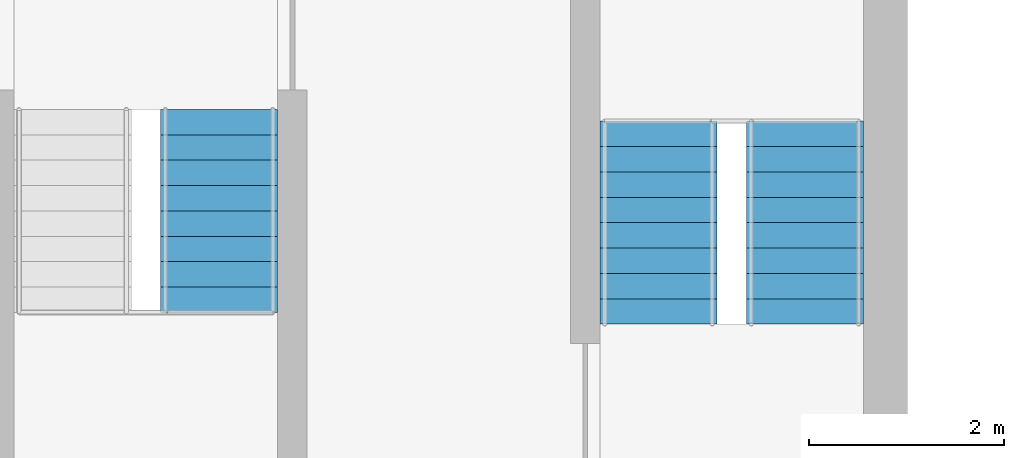
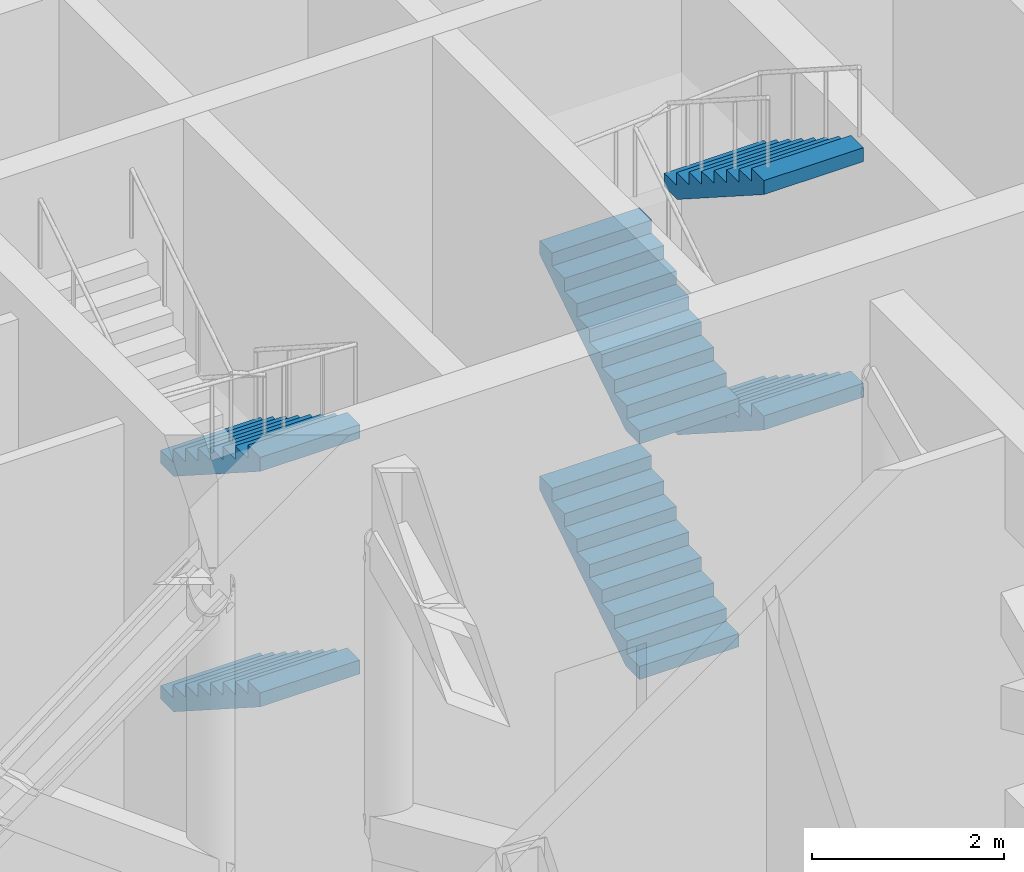
# One storey, part 16 of 20: 6 stair flights, 2 elements without a shape of their own.
"""IFC4 building model written with IfcOpenShell, lengths in metres."""

from ifc_helpers import new_model, si_unit, direction, frame, origin, place, context, subcontext, project, spatial, polyline, outline, extrude, material, type_object, element, aggregate, save


model = new_model("IFC4")

# Units and contexts
model_context = context("Model", 3, precision=1e-05, world=origin(), true_north=direction((0.0, 1.0)))
body_context = subcontext(model_context, "Body", "Model", "MODEL_VIEW")
ifc_project = project(units=[si_unit("LENGTHUNIT", "METRE"), si_unit("AREAUNIT", "SQUARE_METRE"), si_unit("VOLUMEUNIT", "CUBIC_METRE"), si_unit("PLANEANGLEUNIT", "RADIAN"), si_unit("MASSUNIT", "GRAM", prefix="KILO")], contexts=[model_context])

# Site, building, storey
site_placement = place(None, origin())
site = spatial("IfcSite", under=ifc_project, at=site_placement, CompositionType="ELEMENT")
building_placement = place(site_placement, origin())
building = spatial("IfcBuilding", under=site, at=building_placement, Name="Torana Hotel and Residences", CompositionType="ELEMENT")
storey_placement = place(building_placement, frame((0.0, 0.0, 177.60009765625)))
storey = spatial("IfcBuildingStorey", under=building, at=storey_placement, Name="L46", CompositionType="ELEMENT", Elevation=177.60009765625)

# Stair, stair flights
ifc_material_1 = material(Name="Concrete C40/50 precast", Category="concrete")
stair_type_1 = type_object("IfcStairType", Name="STAIR ST3 HALF TURN 1200", PredefinedType="HALF_TURN_STAIR", material=ifc_material_1)
stair_1_placement = place(storey_placement, origin())
stair_1 = element("IfcStair", 1, at=stair_1_placement, inside=storey, type_object=stair_type_1, Name="Stair ST3 L46", PredefinedType="HALF_TURN_STAIR")
ifc_material_2 = material(Name="Concrete C40/50 precast", Category="concrete")
stair_flight_type = type_object("IfcStairFlightType", Name="STAIR FLIGHT 1200 PRECAST", PredefinedType="STRAIGHT", material=ifc_material_2)
stair_flight_1_placement = place(storey_placement, frame((12.449951171875, -10.75, 0.0), z_axis=(0.0, 0.0, 1.0), x_axis=(0.0, -1.0, 0.0)))
stair_flight_1 = element("IfcStairFlight", 2, at=stair_flight_1_placement, type_object=stair_flight_type, Name="ST3 flight 1", NumberOfRisers=9, NumberOfTreads=8, PredefinedType="STRAIGHT", RiserHeight=0.166666667, TreadLength=0.26, context=body_context, shape_type="SweptSolid", body=[
    extrude(outline(polyline([(0.0, 0.0), (0.0, 0.166748046875), (0.260009765625, 0.166748046875), (0.260009765625, 0.333251953125), (0.52001953125, 0.333251953125), (0.52001953125, 0.5), (0.780029296875, 0.5), (0.780029296875, 0.666748046875), (1.0400390625, 0.666748046875), (1.0400390625, 0.833251953125), (1.300048828125, 0.833251953125), (1.300048828125, 1.0), (1.56005859375, 1.0), (1.56005859375, 1.166748046875), (1.820068359375, 1.166748046875), (1.820068359375, 1.333251953125), (2.080078125, 1.333251953125), (2.080078125, 1.5), (2.080078125, 1.1552734375), (0.27783203125, 0.0), (0.0, 0.0)])), frame((0.0, 0.60009765625, 0.0), z_axis=(0.0, -1.0, 0.0), x_axis=(1.0, 0.0, 0.0)), (0.0, 0.0, 1.0), 1.199951171875),
])
stair_flight_2_placement = place(storey_placement, frame((12.449951171875, -10.75, 3.0), z_axis=(0.0, 0.0, 1.0), x_axis=(0.0, -1.0, 0.0)))
stair_flight_2 = element("IfcStairFlight", 3, at=stair_flight_2_placement, type_object=stair_flight_type, Name="ST3 flight 3", NumberOfRisers=9, NumberOfTreads=8, PredefinedType="STRAIGHT", RiserHeight=0.166666667, TreadLength=0.26, context=body_context, shape_type="SweptSolid", body=[
    extrude(outline(polyline([(0.0, 0.0), (0.0, 0.166748046875), (0.260009765625, 0.166748046875), (0.260009765625, 0.333251953125), (0.52001953125, 0.333251953125), (0.52001953125, 0.5), (0.780029296875, 0.5), (0.780029296875, 0.666748046875), (1.0400390625, 0.666748046875), (1.0400390625, 0.833251953125), (1.300048828125, 0.833251953125), (1.300048828125, 1.0), (1.56005859375, 1.0), (1.56005859375, 1.166748046875), (1.820068359375, 1.166748046875), (1.820068359375, 1.333251953125), (2.080078125, 1.333251953125), (2.080078125, 1.5), (2.080078125, 1.1552734375), (0.27783203125, 0.0), (0.0, 0.0)])), frame((0.0, 0.60009765625, 0.0), z_axis=(0.0, -1.0, 0.0), x_axis=(1.0, 0.0, 0.0)), (0.0, 0.0, 1.0), 1.199951171875),
])
aggregate(stair_1, [stair_flight_1, stair_flight_2])

ifc_material_3 = material(Name="Concrete C40/50 precast", Category="concrete")
stair_type_2 = type_object("IfcStairType", Name="STAIR ST4 HALF TURN 1200", PredefinedType="HALF_TURN_STAIR", material=ifc_material_3)
stair_2_placement = place(storey_placement, origin())
stair_2 = element("IfcStair", 4, at=stair_2_placement, inside=storey, type_object=stair_type_2, Name="Stair ST4 L46", PredefinedType="HALF_TURN_STAIR")
stair_flight_3_placement = place(storey_placement, frame((16.949951171875, -12.949951171875, 0.0), z_axis=(0.0, 0.0, 1.0), x_axis=(0.0, 1.0, 0.0)))
stair_flight_3 = element("IfcStairFlight", 5, at=stair_flight_3_placement, type_object=stair_flight_type, Name="ST4 flight 1", NumberOfRisers=9, NumberOfTreads=8, PredefinedType="STRAIGHT", RiserHeight=0.166666667, TreadLength=0.26, context=body_context, shape_type="SweptSolid", body=[
    extrude(outline(polyline([(0.0, 0.0), (0.0, 0.166748046875), (0.260009765625, 0.166748046875), (0.260009765625, 0.333251953125), (0.52001953125, 0.333251953125), (0.52001953125, 0.5), (0.780029296875, 0.5), (0.780029296875, 0.666748046875), (1.0400390625, 0.666748046875), (1.0400390625, 0.833251953125), (1.300048828125, 0.833251953125), (1.300048828125, 1.0), (1.56005859375, 1.0), (1.56005859375, 1.166748046875), (1.820068359375, 1.166748046875), (1.820068359375, 1.333251953125), (2.080078125, 1.333251953125), (2.080078125, 1.5), (2.080078125, 1.1552734375), (0.27783203125, 0.0), (0.0, 0.0)])), frame((0.0, 0.60009765625, 0.0), z_axis=(0.0, -1.0, 0.0), x_axis=(1.0, 0.0, 0.0)), (0.0, 0.0, 1.0), 1.199951171875),
])
stair_flight_4_placement = place(storey_placement, frame((18.449951171875, -10.8701171875, 1.5), z_axis=(0.0, 0.0, 1.0), x_axis=(0.0, -1.0, 0.0)))
stair_flight_4 = element("IfcStairFlight", 6, at=stair_flight_4_placement, type_object=stair_flight_type, Name="ST4 flight 2", NumberOfRisers=9, NumberOfTreads=8, PredefinedType="STRAIGHT", RiserHeight=0.166666667, TreadLength=0.26, context=body_context, shape_type="SweptSolid", body=[
    extrude(outline(polyline([(0.0, 0.0), (0.0, 0.166748046875), (0.260009765625, 0.166748046875), (0.260009765625, 0.333251953125), (0.52001953125, 0.333251953125), (0.52001953125, 0.5), (0.780029296875, 0.5), (0.780029296875, 0.666748046875), (1.0400390625, 0.666748046875), (1.0400390625, 0.833251953125), (1.300048828125, 0.833251953125), (1.300048828125, 1.0), (1.56005859375, 1.0), (1.56005859375, 1.166748046875), (1.820068359375, 1.166748046875), (1.820068359375, 1.333251953125), (2.080078125, 1.333251953125), (2.080078125, 1.5), (2.080078125, 1.1552734375), (0.27783203125, 0.0), (0.0, 0.0)])), frame((0.0, 0.60009765625, 0.0), z_axis=(0.0, -1.0, 0.0), x_axis=(1.0, 0.0, 0.0)), (0.0, 0.0, 1.0), 1.199951171875),
])
stair_flight_5_placement = place(storey_placement, frame((16.949951171875, -12.949951171875, 3.0), z_axis=(0.0, 0.0, 1.0), x_axis=(0.0, 1.0, 0.0)))
stair_flight_5 = element("IfcStairFlight", 7, at=stair_flight_5_placement, type_object=stair_flight_type, Name="ST4 flight 3", NumberOfRisers=9, NumberOfTreads=8, PredefinedType="STRAIGHT", RiserHeight=0.166666667, TreadLength=0.26, context=body_context, shape_type="SweptSolid", body=[
    extrude(outline(polyline([(0.0, 0.0), (0.0, 0.166748046875), (0.260009765625, 0.166748046875), (0.260009765625, 0.333251953125), (0.52001953125, 0.333251953125), (0.52001953125, 0.5), (0.780029296875, 0.5), (0.780029296875, 0.666748046875), (1.0400390625, 0.666748046875), (1.0400390625, 0.833251953125), (1.300048828125, 0.833251953125), (1.300048828125, 1.0), (1.56005859375, 1.0), (1.56005859375, 1.166748046875), (1.820068359375, 1.166748046875), (1.820068359375, 1.333251953125), (2.080078125, 1.333251953125), (2.080078125, 1.5), (2.080078125, 1.1552734375), (0.27783203125, 0.0), (0.0, 0.0)])), frame((0.0, 0.60009765625, 0.0), z_axis=(0.0, -1.0, 0.0), x_axis=(1.0, 0.0, 0.0)), (0.0, 0.0, 1.0), 1.199951171875),
])
stair_flight_6_placement = place(storey_placement, frame((18.449951171875, -10.8701171875, 4.5), z_axis=(0.0, 0.0, 1.0), x_axis=(0.0, -1.0, 0.0)))
stair_flight_6 = element("IfcStairFlight", 8, at=stair_flight_6_placement, type_object=stair_flight_type, Name="ST4 flight 4", NumberOfRisers=9, NumberOfTreads=8, PredefinedType="STRAIGHT", RiserHeight=0.166666667, TreadLength=0.26, context=body_context, shape_type="SweptSolid", body=[
    extrude(outline(polyline([(0.0, 0.0), (0.0, 0.166748046875), (0.260009765625, 0.166748046875), (0.260009765625, 0.333251953125), (0.52001953125, 0.333251953125), (0.52001953125, 0.5), (0.780029296875, 0.5), (0.780029296875, 0.666748046875), (1.0400390625, 0.666748046875), (1.0400390625, 0.833251953125), (1.300048828125, 0.833251953125), (1.300048828125, 1.0), (1.56005859375, 1.0), (1.56005859375, 1.166748046875), (1.820068359375, 1.166748046875), (1.820068359375, 1.333251953125), (2.080078125, 1.333251953125), (2.080078125, 1.5), (2.080078125, 1.1552734375), (0.27783203125, 0.0), (0.0, 0.0)])), frame((0.0, 0.60009765625, 0.0), z_axis=(0.0, -1.0, 0.0), x_axis=(1.0, 0.0, 0.0)), (0.0, 0.0, 1.0), 1.199951171875),
])
aggregate(stair_2, [stair_flight_3, stair_flight_4, stair_flight_5, stair_flight_6])

save(model, "model.ifc")
